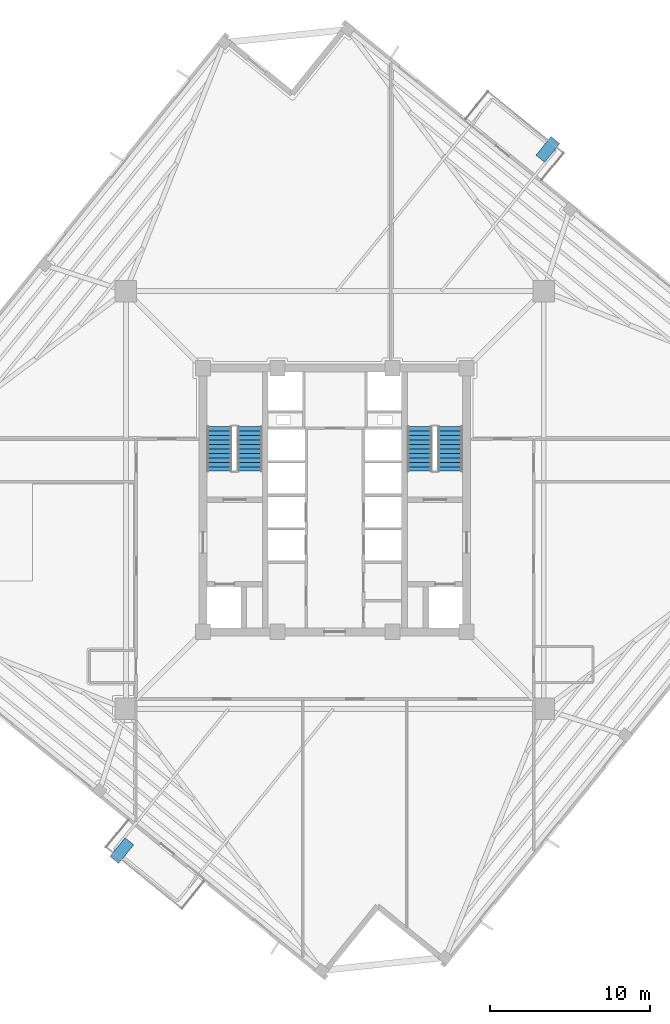
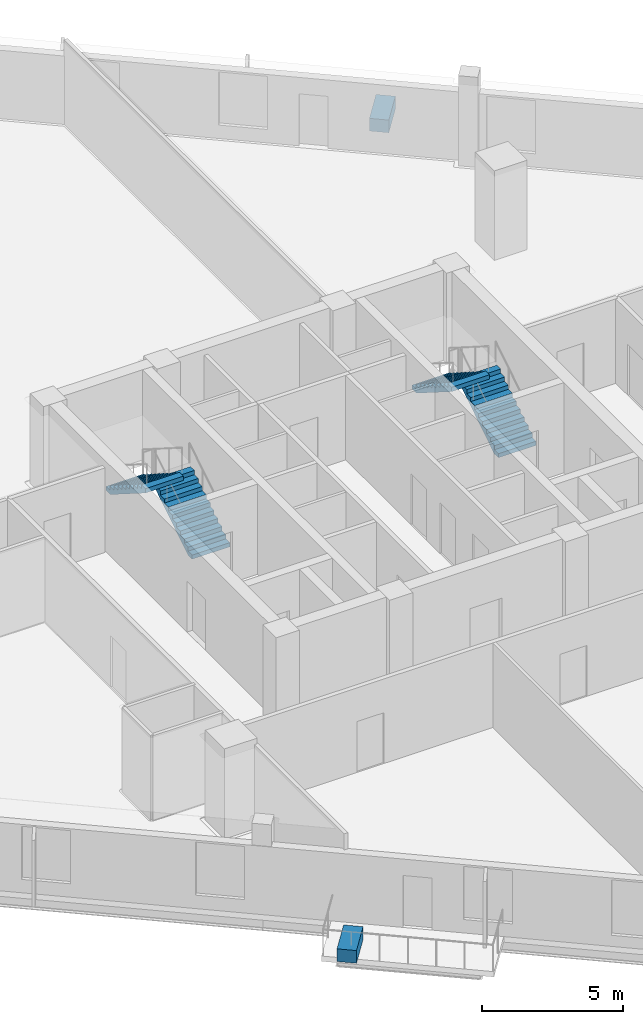
# One storey, part 6 of 10: 4 stair flights, 2 discrete accessories, 2 elements without a shape of their own.
"""IFC4 building model written with IfcOpenShell, lengths in metres."""

from ifc_helpers import new_model, si_unit, direction, frame, origin, origin_2d, place, context, subcontext, project, spatial, polyline, rectangle, outline, extrude, source, transform, mapped, material, type_object, element, aggregate, save


model = new_model("IFC4")

# Units and contexts
model_context = context("Model", 3, precision=1e-05, world=origin(), true_north=direction((0.0, 1.0)))
body_context = subcontext(model_context, "Body", "Model", "MODEL_VIEW")
ifc_project = project(units=[si_unit("LENGTHUNIT", "METRE"), si_unit("AREAUNIT", "SQUARE_METRE"), si_unit("VOLUMEUNIT", "CUBIC_METRE"), si_unit("PLANEANGLEUNIT", "RADIAN"), si_unit("MASSUNIT", "GRAM", prefix="KILO"), si_unit("THERMODYNAMICTEMPERATUREUNIT", "KELVIN")], contexts=[model_context])

# Site, building, storey
site_placement = place(None, origin())
site = spatial("IfcSite", under=ifc_project, at=site_placement, CompositionType="ELEMENT")
building_placement = place(site_placement, origin())
building = spatial("IfcBuilding", under=site, at=building_placement, Name="Kosmvard Interchange Tower", CompositionType="ELEMENT")
storey_placement = place(building_placement, frame((0.0, 0.0, 229.0)))
storey = spatial("IfcBuildingStorey", under=building, at=storey_placement, Name="L55", CompositionType="ELEMENT", Elevation=229.0)

# Stair, stair flights
ifc_material_1 = material(Name="Concrete C50/60", Category="concrete")
stair_type = type_object("IfcStairType", Name="Dog-Leg Core Exit Stair H3900 C50/60", PredefinedType="HALF_TURN_STAIR", material=ifc_material_1)
stair_1_placement = place(storey_placement, origin())
stair_1 = element("IfcStair", 1, at=stair_1_placement, inside=storey, type_object=stair_type, Name="L55 Protected Exit Stair ST-1", PredefinedType="HALF_TURN_STAIR")
stair_flight_type = type_object("IfcStairFlightType", Name="Core Stair Flight W1550 H3900 C50/60", PredefinedType="STRAIGHT", material=ifc_material_1)
shared_shape_1 = source(origin(), body_context, "Body", "SweptSolid", [
    extrude(outline(polyline([(0.0, 0.0), (0.0, 0.17724609375), (0.280029296875, 0.17724609375), (0.280029296875, 0.3544921875), (0.56005859375, 0.3544921875), (0.56005859375, 0.53173828125), (0.840087890625, 0.53173828125), (0.840087890625, 0.708984375), (1.1201171875, 0.708984375), (1.1201171875, 0.886474609375), (1.39990234375, 0.886474609375), (1.39990234375, 1.063720703125), (1.679931640625, 1.063720703125), (1.679931640625, 1.240966796875), (1.9599609375, 1.240966796875), (1.9599609375, 1.418212890625), (2.239990234375, 1.418212890625), (2.239990234375, 1.595458984375), (2.52001953125, 1.595458984375), (2.52001953125, 1.772705078125), (2.800048828125, 1.772705078125), (2.800048828125, 1.949951171875), (2.800048828125, 1.58349609375), (0.298828125, 0.0), (0.0, 0.0)])), frame((0.0, 0.77490234375, 0.0), z_axis=(0.0, -1.0, 0.0), x_axis=(1.0, 0.0, 0.0)), (0.0, 0.0, 1.0), 1.550048828125),
])
stair_flight_1_placement = place(storey_placement, frame((-5.31494140625, 1.800048828125, 0.0), z_axis=(0.0, 0.0, 1.0), x_axis=(0.0, 1.0, 0.0)))
stair_flight_1 = element("IfcStairFlight", 2, at=stair_flight_1_placement, type_object=stair_flight_type, Name="ST-1 flight 1", NumberOfRisers=11, NumberOfTreads=10, PredefinedType="STRAIGHT", RiserHeight=0.177272727, TreadLength=0.28, context=body_context, shape_type="MappedRepresentation", body=[
    mapped(shared_shape_1, transform((0.0, 0.0, 0.0), scale=1.0)),
])
stair_flight_2_placement = place(storey_placement, frame((-7.22509765625, 4.60009765625, 1.949951171875), z_axis=(0.0, 0.0, 1.0), x_axis=(0.0, -1.0, 0.0)))
stair_flight_2 = element("IfcStairFlight", 3, at=stair_flight_2_placement, type_object=stair_flight_type, Name="ST-1 flight 2", NumberOfRisers=11, NumberOfTreads=10, PredefinedType="STRAIGHT", RiserHeight=0.177272727, TreadLength=0.28, context=body_context, shape_type="MappedRepresentation", body=[
    mapped(shared_shape_1, transform((0.0, 0.0, 0.0), scale=1.0)),
])
aggregate(stair_1, [stair_flight_1, stair_flight_2])

stair_2_placement = place(storey_placement, origin())
stair_2 = element("IfcStair", 4, at=stair_2_placement, inside=storey, type_object=stair_type, Name="L55 Protected Exit Stair ST-2", PredefinedType="HALF_TURN_STAIR")
stair_flight_3_placement = place(storey_placement, frame((7.22509765625, 1.800048828125, 0.0), z_axis=(0.0, 0.0, 1.0), x_axis=(0.0, 1.0, 0.0)))
stair_flight_3 = element("IfcStairFlight", 5, at=stair_flight_3_placement, type_object=stair_flight_type, Name="ST-2 flight 1", NumberOfRisers=11, NumberOfTreads=10, PredefinedType="STRAIGHT", RiserHeight=0.177272727, TreadLength=0.28, context=body_context, shape_type="MappedRepresentation", body=[
    mapped(shared_shape_1, transform((0.0, 0.0, 0.0), scale=1.0)),
])
stair_flight_4_placement = place(storey_placement, frame((5.31494140625, 4.60009765625, 1.949951171875), z_axis=(0.0, 0.0, 1.0), x_axis=(0.0, -1.0, 0.0)))
stair_flight_4 = element("IfcStairFlight", 6, at=stair_flight_4_placement, type_object=stair_flight_type, Name="ST-2 flight 2", NumberOfRisers=11, NumberOfTreads=10, PredefinedType="STRAIGHT", RiserHeight=0.177272727, TreadLength=0.28, context=body_context, shape_type="MappedRepresentation", body=[
    mapped(shared_shape_1, transform((0.0, 0.0, 0.0), scale=1.0)),
])
aggregate(stair_2, [stair_flight_3, stair_flight_4])

# Discrete accessories
ifc_material_2 = material(Name="Terracotta precast planter concrete C45/55", Category="masonry")
discrete_accessory_type = type_object("IfcDiscreteAccessoryType", Name="Precast Tree-Balcony & Terrace Planter Box", PredefinedType="USERDEFINED", material=ifc_material_2)
shared_shape_2 = source(origin(), body_context, "Body", "SweptSolid", [
    extrude(rectangle(XDim=1.5, YDim=0.699951171875, at=origin_2d()), origin(), (0.0, 0.0, 1.0), 0.550048828125),
])
for number, where, z_axis, x_axis, name in (
    (7, (13.3349609375, 21.949462890625, 0.0), (0.0, 0.0, 1.0), (0.62932039105, 0.777145961457, 0.0), "L55 Balcony Tree Planter BAL-L55-E"),
    (8, (-13.3349609375, -21.949462890625, 0.0), (0.0, 0.0, 1.0), (0.62932039105, 0.777145961457, 0.0), "L55 Balcony Tree Planter BAL-L55-W"),
):
    element("IfcDiscreteAccessory", number, at=place(storey_placement, frame(where, z_axis=z_axis, x_axis=x_axis)), inside=storey, type_object=discrete_accessory_type, Name=name, ObjectType="PLANTER", PredefinedType="USERDEFINED", context=body_context, shape_type="MappedRepresentation", body=[
        mapped(shared_shape_2, transform((0.0, 0.0, 0.0), scale=1.0)),
    ])

save(model, "model.ifc")
